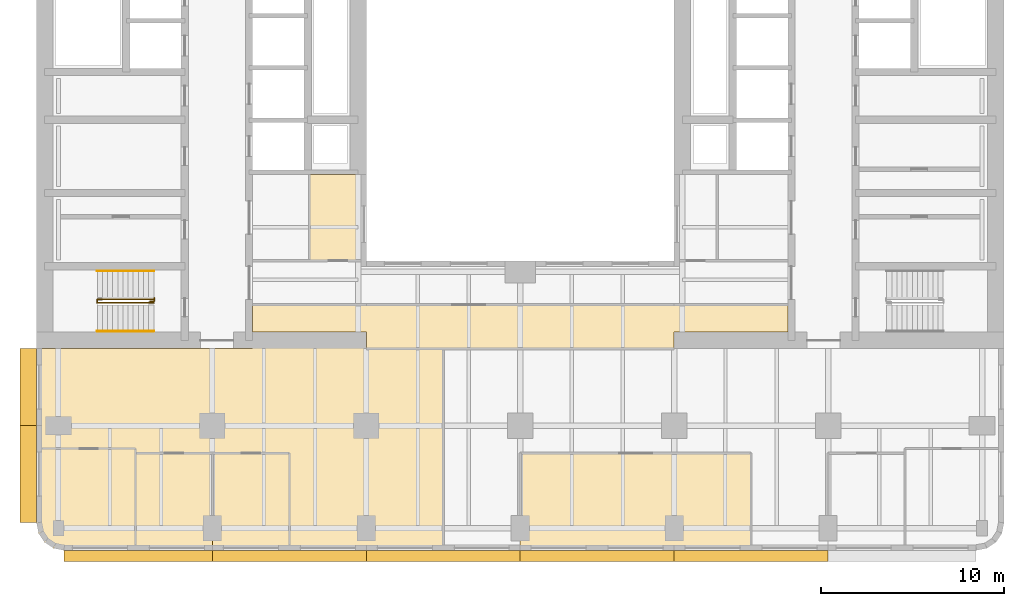
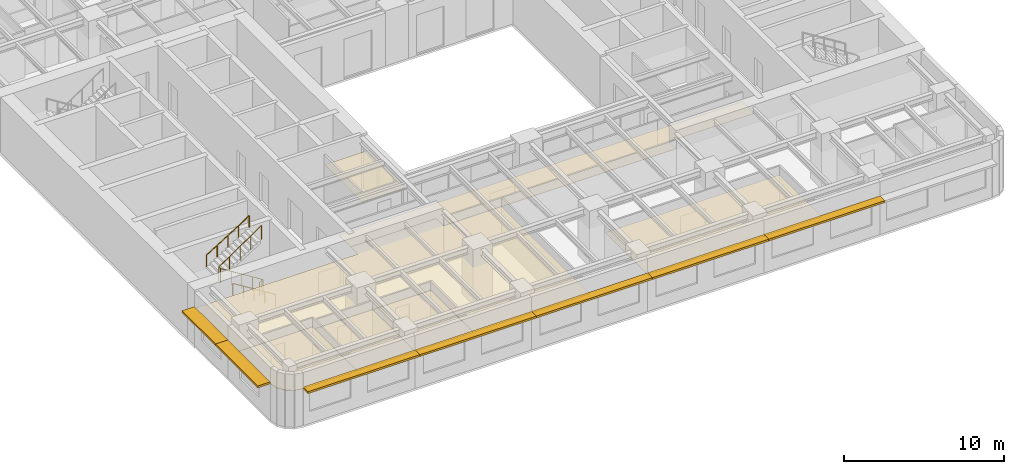
# One storey, part 9 of 11: 7 coverings, 7 shading devices, 4 railings.
"""IFC4 building model written with IfcOpenShell, lengths in metres."""

from ifc_helpers import new_model, si_unit, direction, frame, origin, origin_2d, place, context, subcontext, project, spatial, polyline, rectangle, circle, outline, extrude, material, layer, layer_set, type_object, element, save


model = new_model("IFC4")

# Units and contexts
model_context = context("Model", 3, precision=1e-05, world=origin(), true_north=direction((0.0, 1.0)))
body_context = subcontext(model_context, "Body", "Model", "MODEL_VIEW")
ifc_project = project(units=[si_unit("LENGTHUNIT", "METRE"), si_unit("AREAUNIT", "SQUARE_METRE"), si_unit("VOLUMEUNIT", "CUBIC_METRE"), si_unit("PLANEANGLEUNIT", "RADIAN"), si_unit("MASSUNIT", "GRAM", prefix="KILO")], contexts=[model_context])

# Site, building, storey
site_placement = place(None, origin())
site = spatial("IfcSite", under=ifc_project, at=site_placement, CompositionType="ELEMENT")
building_placement = place(site_placement, origin())
building = spatial("IfcBuilding", under=site, at=building_placement, Name="Claustro Exchange Tower", CompositionType="ELEMENT")
storey_placement = place(building_placement, frame((0.0, 0.0, 142.800048828125)))
storey = spatial("IfcBuildingStorey", under=building, at=storey_placement, Name="L32", CompositionType="ELEMENT", Elevation=142.800048828125)

# Coverings
ifc_material_1 = material(Name="Perforated metal ceiling tiles", Category="steel")
ifc_layer_1 = layer(ifc_material_1, 0.030029296875)
ifc_layer_set_1 = layer_set([ifc_layer_1], Name="Perforated metal ceiling tiles")
covering_type_1 = type_object("IfcCoveringType", Name="CL1 suspended metal ceiling", PredefinedType="CEILING", material=ifc_layer_set_1)
covering_1_placement = place(storey_placement, frame((0.0, 0.0, 2.800048828125)))
element("IfcCovering", 1, at=covering_1_placement, inside=storey, type_object=covering_type_1, Name="Ceiling CL1 L32-07", PredefinedType="CEILING", context=body_context, shape_type="SweptSolid", body=[
    extrude(outline(polyline([(10.60009765625, 13.5), (10.60009765625, 12.60009765625), (-1.199951171875, 12.60009765625), (-1.199951171875, 7.14990234375), (4.199951171875, 7.14990234375), (4.199951171875, 6.89990234375), (8.39990234375, 6.89990234375), (12.60009765625, 6.89990234375), (12.60009765625, 1.60009765625), (21.0, 1.60009765625), (21.0, 12.60009765625), (16.800048828125, 12.60009765625), (16.800048828125, 13.5), (10.60009765625, 13.5)])), origin(), (0.0, 0.0, 1.0), 0.02978515625),
])
ifc_material_2 = material(Name="Gypsum board ceiling", Category="gypsum board")
ifc_layer_2 = layer(ifc_material_2, 0.02490234375)
ifc_layer_set_2 = layer_set([ifc_layer_2], Name="Gypsum board ceiling")
covering_type_2 = type_object("IfcCoveringType", Name="CL2 plasterboard ceiling", PredefinedType="CEILING", material=ifc_layer_set_2)
covering_2_placement = place(storey_placement, frame((0.0, 0.0, 2.800048828125)))
element("IfcCovering", 2, at=covering_2_placement, inside=storey, type_object=covering_type_2, Name="Ceiling CL2 L32-01", PredefinedType="CEILING", context=body_context, shape_type="SweptSolid", body=[
    extrude(outline(polyline([(4.199951171875, 1.60009765625), (8.39990234375, 1.60009765625), (8.39990234375, 6.89990234375), (4.199951171875, 6.89990234375), (4.199951171875, 1.60009765625)])), origin(), (0.0, 0.0, 1.0), 0.02490234375),
])
covering_3_placement = place(storey_placement, frame((0.0, 0.0, 2.800048828125)))
element("IfcCovering", 3, at=covering_3_placement, inside=storey, type_object=covering_type_2, Name="Ceiling CL2 L32-02", PredefinedType="CEILING", context=body_context, shape_type="SweptSolid", body=[
    extrude(outline(polyline([(8.39990234375, 1.60009765625), (12.60009765625, 1.60009765625), (12.60009765625, 6.89990234375), (8.39990234375, 6.89990234375), (8.39990234375, 1.60009765625)])), origin(), (0.0, 0.0, 1.0), 0.02490234375),
])
covering_4_placement = place(storey_placement, frame((0.0, 0.0, 2.800048828125)))
element("IfcCovering", 4, at=covering_4_placement, inside=storey, type_object=covering_type_2, Name="Ceiling CL2 L32-03", PredefinedType="CEILING", context=body_context, shape_type="SweptSolid", body=[
    extrude(outline(polyline([(25.199951171875, 1.60009765625), (37.800048828125, 1.60009765625), (37.800048828125, 6.89990234375), (25.199951171875, 6.89990234375), (25.199951171875, 1.60009765625)])), origin(), (0.0, 0.0, 1.0), 0.02490234375),
])
covering_5_placement = place(storey_placement, frame((0.0, 0.0, 2.800048828125)))
element("IfcCovering", 5, at=covering_5_placement, inside=storey, type_object=covering_type_2, Name="Ceiling CL2 L32-05", PredefinedType="CEILING", context=body_context, shape_type="SweptSolid", body=[
    extrude(outline(polyline([(-1.085693359375, 2.52587890625), (-0.7607421875, 2.039306640625), (-0.27392578125, 1.714111328125), (0.300048828125, 1.60009765625), (4.199951171875, 1.60009765625), (4.199951171875, 7.14990234375), (-1.199951171875, 7.14990234375), (-1.199951171875, 3.10009765625), (-1.085693359375, 2.52587890625)])), origin(), (0.0, 0.0, 1.0), 0.02490234375),
])
covering_6_placement = place(storey_placement, frame((0.0, 0.0, 2.800048828125)))
element("IfcCovering", 6, at=covering_6_placement, inside=storey, type_object=covering_type_2, Name="Ceiling CL2 L32-09", PredefinedType="CEILING", context=body_context, shape_type="SweptSolid", body=[
    extrude(outline(polyline([(10.60009765625, 15.0), (10.60009765625, 13.5), (16.800048828125, 13.5), (16.800048828125, 12.60009765625), (33.60009765625, 12.60009765625), (33.60009765625, 13.5), (39.800048828125, 13.5), (39.800048828125, 15.0), (33.60009765625, 15.0), (33.60009765625, 15.0), (16.800048828125, 15.0), (16.800048828125, 15.0), (10.60009765625, 15.0)])), origin(), (0.0, 0.0, 1.0), 0.02490234375),
])
covering_7_placement = place(storey_placement, frame((0.0, 0.0, 2.800048828125)))
element("IfcCovering", 7, at=covering_7_placement, inside=storey, type_object=covering_type_2, Name="Ceiling CL2 L32-12", PredefinedType="CEILING", context=body_context, shape_type="SweptSolid", body=[
    extrude(outline(polyline([(16.800048828125, 17.39990234375), (16.800048828125, 22.10009765625), (13.699951171875, 22.10009765625), (13.699951171875, 17.39990234375), (16.800048828125, 17.39990234375)])), origin(), (0.0, 0.0, 1.0), 0.02490234375),
])

# Railings
ifc_material_3 = material(Name="Steel balustrade, painted", Category="steel")
railing_type_1 = type_object("IfcRailingType", Name="GR2 1100 steel stair guard", PredefinedType="GUARDRAIL", material=ifc_material_3)
railing_1_placement = place(storey_placement, frame((5.199951171875, 15.10009765625, 0.175048828125)))
element("IfcRailing", 8, at=railing_1_placement, inside=storey, type_object=railing_type_1, Name="Stair well guard GR2 stair STWA L32", PredefinedType="GUARDRAIL", context=body_context, shape_type="SweptSolid", body=[
    extrude(circle(Radius=0.02392578125, at=origin_2d()), frame((0.0, 0.0, 1.076171875), z_axis=(-0.848009633417, 0.0, 0.529980812513), x_axis=(0.0, -1.0, 0.0)), (0.0, 0.0, 1.0), 3.6318359375),
    extrude(circle(Radius=0.02392578125, at=origin_2d()), frame((-3.079833984375, 0.0, 3.0009765625), z_axis=(0.0, 1.0, 0.0), x_axis=(-1.0, 0.0, 0.0)), (0.0, 0.0, 1.0), 0.199951171875),
    extrude(circle(Radius=0.02392578125, at=origin_2d()), frame((-3.079833984375, 0.199951171875, 3.0009765625), z_axis=(0.826201015165, 0.0, 0.563375436579), x_axis=(0.0, 1.0, 0.0)), (0.0, 0.0, 1.0), 3.727783203125),
    extrude(circle(Radius=0.02099609375, at=origin_2d()), origin(), (0.0, 0.0, 1.0), 1.052001953125),
    extrude(circle(Radius=0.02099609375, at=origin_2d()), frame((-0.77001953125, 0.0, 0.481201171875)), (0.0, 0.0, 1.0), 1.052001953125),
    extrude(circle(Radius=0.02099609375, at=origin_2d()), frame((-1.5400390625, 0.0, 0.96240234375)), (0.0, 0.0, 1.0), 1.052001953125),
    extrude(circle(Radius=0.02099609375, at=origin_2d()), frame((-2.309814453125, 0.0, 1.443603515625)), (0.0, 0.0, 1.0), 1.052001953125),
    extrude(circle(Radius=0.02099609375, at=origin_2d()), frame((-3.079833984375, 0.0, 1.9248046875)), (0.0, 0.0, 1.0), 1.052001953125),
    extrude(circle(Radius=0.02099609375, at=origin_2d()), frame((-3.079833984375, 0.199951171875, 1.9248046875)), (0.0, 0.0, 1.0), 1.052001953125),
    extrude(circle(Radius=0.02099609375, at=origin_2d()), frame((-2.309814453125, 0.199951171875, 2.44970703125)), (0.0, 0.0, 1.0), 1.052001953125),
    extrude(circle(Radius=0.02099609375, at=origin_2d()), frame((-1.5400390625, 0.199951171875, 2.974853515625)), (0.0, 0.0, 1.0), 1.052001953125),
    extrude(circle(Radius=0.02099609375, at=origin_2d()), frame((-0.77001953125, 0.199951171875, 3.5)), (0.0, 0.0, 1.0), 1.052001953125),
    extrude(circle(Radius=0.02099609375, at=origin_2d()), frame((0.0, 0.199951171875, 4.02490234375)), (0.0, 0.0, 1.0), 1.052001953125),
])
railing_2_placement = place(storey_placement, frame((5.0, 15.169921875, 0.0)))
element("IfcRailing", 9, at=railing_2_placement, inside=storey, type_object=railing_type_1, Name="Stair guard GR2 STWA L32", PredefinedType="GUARDRAIL", context=body_context, shape_type="SweptSolid", body=[
    extrude(circle(Radius=0.02392578125, at=origin_2d()), frame((0.0, 0.0, 1.076171875), z_axis=(0.0, 1.0, 0.0), x_axis=(-1.0, 0.0, 0.0)), (0.0, 0.0, 1.0), 0.030029296875),
    extrude(circle(Radius=0.02392578125, at=origin_2d()), frame((0.0, 0.030029296875, 1.076171875), z_axis=(1.0, 0.0, 0.0), x_axis=(0.0, 1.0, 0.0)), (0.0, 0.0, 1.0), 0.22509765625),
    extrude(circle(Radius=0.02392578125, at=origin_2d()), frame((0.22509765625, 0.030029296875, 1.076171875), z_axis=(0.0, 1.0, 0.0), x_axis=(-1.0, 0.0, 0.0)), (0.0, 0.0, 1.0), 0.179931640625),
    extrude(circle(Radius=0.02099609375, at=origin_2d()), origin(), (0.0, 0.0, 1.0), 1.052001953125),
    extrude(circle(Radius=0.02099609375, at=origin_2d()), frame((0.0, 0.030029296875, 0.0)), (0.0, 0.0, 1.0), 1.052001953125),
    extrude(circle(Radius=0.02099609375, at=origin_2d()), frame((0.22509765625, 0.030029296875, 0.0)), (0.0, 0.0, 1.0), 1.052001953125),
    extrude(circle(Radius=0.02099609375, at=origin_2d()), frame((0.22509765625, 0.2099609375, 0.0)), (0.0, 0.0, 1.0), 1.052001953125),
])
ifc_material_4 = material(Name="Stainless steel tube", Category="steel")
railing_type_2 = type_object("IfcRailingType", Name="HR1 900 stair handrail", PredefinedType="HANDRAIL", material=ifc_material_4)
railing_3_placement = place(storey_placement, frame((5.199951171875, 13.56005859375, 0.175048828125)))
element("IfcRailing", 10, at=railing_3_placement, inside=storey, type_object=railing_type_2, Name="Handrail HR1 stair STWA L32", PredefinedType="HANDRAIL", context=body_context, shape_type="SweptSolid", body=[
    extrude(circle(Radius=0.02392578125, at=origin_2d()), frame((0.0, 0.0, 0.8759765625), z_axis=(-0.848009633417, 0.0, 0.529980812513), x_axis=(0.0, -1.0, 0.0)), (0.0, 0.0, 1.0), 3.6318359375),
    extrude(circle(Radius=0.02099609375, at=origin_2d()), origin(), (0.0, 0.0, 1.0), 0.851806640625),
    extrude(circle(Radius=0.02099609375, at=origin_2d()), frame((-0.77001953125, 0.0, 0.481201171875)), (0.0, 0.0, 1.0), 0.851806640625),
    extrude(circle(Radius=0.02099609375, at=origin_2d()), frame((-1.5400390625, 0.0, 0.96240234375)), (0.0, 0.0, 1.0), 0.851806640625),
    extrude(circle(Radius=0.02099609375, at=origin_2d()), frame((-2.309814453125, 0.0, 1.443603515625)), (0.0, 0.0, 1.0), 0.851806640625),
    extrude(circle(Radius=0.02099609375, at=origin_2d()), frame((-3.079833984375, 0.0, 1.9248046875)), (0.0, 0.0, 1.0), 0.851806640625),
])
railing_4_placement = place(storey_placement, frame((2.1201171875, 16.840087890625, 2.27490234375)))
element("IfcRailing", 11, at=railing_4_placement, inside=storey, type_object=railing_type_2, Name="Handrail HR1 stair STWA L32", PredefinedType="HANDRAIL", context=body_context, shape_type="SweptSolid", body=[
    extrude(circle(Radius=0.02392578125, at=origin_2d()), frame((0.0, 0.0, 0.8759765625), z_axis=(0.847979421464, 0.0, 0.530029150871), x_axis=(0.0, 1.0, 0.0)), (0.0, 0.0, 1.0), 3.632080078125),
    extrude(circle(Radius=0.02099609375, at=origin_2d()), origin(), (0.0, 0.0, 1.0), 0.851806640625),
    extrude(circle(Radius=0.02099609375, at=origin_2d()), frame((0.77001953125, 0.0, 0.481201171875)), (0.0, 0.0, 1.0), 0.851806640625),
    extrude(circle(Radius=0.02099609375, at=origin_2d()), frame((1.5400390625, 0.0, 0.96240234375)), (0.0, 0.0, 1.0), 0.851806640625),
    extrude(circle(Radius=0.02099609375, at=origin_2d()), frame((2.309814453125, 0.0, 1.44384765625)), (0.0, 0.0, 1.0), 0.851806640625),
    extrude(circle(Radius=0.02099609375, at=origin_2d()), frame((3.079833984375, 0.0, 1.925048828125)), (0.0, 0.0, 1.0), 0.851806640625),
])

# Shading devices
ifc_material_5 = material(Name="Concrete HA-40 (C40/50), precast, white cement, acid-etched", Category="concrete")
ifc_layer_3 = layer(ifc_material_5, 0.14990234375)
ifc_layer_set_3 = layer_set([ifc_layer_3], Name="Concrete HA-40 (C40/50), precast, white cement, acid-etched")
shading_device_type_1 = type_object("IfcShadingDeviceType", Name="SS1 600 precast concrete SUNSHADE", PredefinedType="SHUTTER", material=ifc_layer_set_3)
for number, where, z_axis, x_axis, name in (
    (12, (37.800048828125, 1.300048828125, 2.800048828125), (0.0, 0.0, 1.0), (-1.0, 0.0, 0.0), "Precast SUNSHADE SS1 L32"),
    (13, (29.39990234375, 1.300048828125, 2.800048828125), (0.0, 0.0, 1.0), (-1.0, 0.0, 0.0), "Precast SUNSHADE SS1 L32"),
    (14, (21.0, 1.300048828125, 2.800048828125), (0.0, 0.0, 1.0), (-1.0, 0.0, 0.0), "Precast SUNSHADE SS1 L32"),
    (15, (12.60009765625, 1.300048828125, 2.800048828125), (0.0, 0.0, 1.0), (-1.0, 0.0, 0.0), "Precast SUNSHADE SS1 L32"),
):
    element("IfcShadingDevice", number, at=place(storey_placement, frame(where, z_axis=z_axis, x_axis=x_axis)), inside=storey, type_object=shading_device_type_1, Name=name, PredefinedType="SHUTTER", context=body_context, shape_type="SweptSolid", body=[
        extrude(rectangle(XDim=8.39990234375, YDim=0.60009765625, at=origin_2d()), origin(), (0.0, 0.0, 1.0), 0.14990234375),
    ])
shading_device_1_placement = place(storey_placement, frame((4.357421875, 1.300048828125, 2.800048828125), z_axis=(0.0, 0.0, 1.0), x_axis=(-1.0, 0.0, 0.0)))
element("IfcShadingDevice", 16, at=shading_device_1_placement, inside=storey, type_object=shading_device_type_1, Name="Precast SUNSHADE SS1 L32", PredefinedType="SHUTTER", context=body_context, shape_type="SweptSolid", body=[
    extrude(rectangle(XDim=8.085205078125, YDim=0.60009765625, at=origin_2d()), origin(), (0.0, 0.0, 1.0), 0.14990234375),
])
ifc_material_6 = material(Name="Concrete HA-40 (C40/50), precast, white cement, acid-etched", Category="concrete")
ifc_layer_4 = layer(ifc_material_6, 0.14990234375)
ifc_layer_set_4 = layer_set([ifc_layer_4], Name="Concrete HA-40 (C40/50), precast, white cement, acid-etched")
shading_device_type_2 = type_object("IfcShadingDeviceType", Name="SS2 900 precast concrete SUNSHADE", PredefinedType="SHUTTER", material=ifc_layer_set_4)
shading_device_2_placement = place(storey_placement, frame((-1.64990234375, 5.75732421875, 2.800048828125), z_axis=(0.0, 0.0, 1.0), x_axis=(0.0, 1.0, 0.0)))
element("IfcShadingDevice", 17, at=shading_device_2_placement, inside=storey, type_object=shading_device_type_2, Name="Precast SUNSHADE SS2 L32", PredefinedType="SHUTTER", context=body_context, shape_type="SweptSolid", body=[
    extrude(rectangle(XDim=5.28515625, YDim=0.89990234375, at=origin_2d()), origin(), (0.0, 0.0, 1.0), 0.14990234375),
])
shading_device_3_placement = place(storey_placement, frame((-1.64990234375, 10.5, 2.800048828125), z_axis=(0.0, 0.0, 1.0), x_axis=(0.0, 1.0, 0.0)))
element("IfcShadingDevice", 18, at=shading_device_3_placement, inside=storey, type_object=shading_device_type_2, Name="Precast SUNSHADE SS2 L32", PredefinedType="SHUTTER", context=body_context, shape_type="SweptSolid", body=[
    extrude(rectangle(XDim=4.199951171875, YDim=0.89990234375, at=origin_2d()), origin(), (0.0, 0.0, 1.0), 0.14990234375),
])

save(model, "model.ifc")
